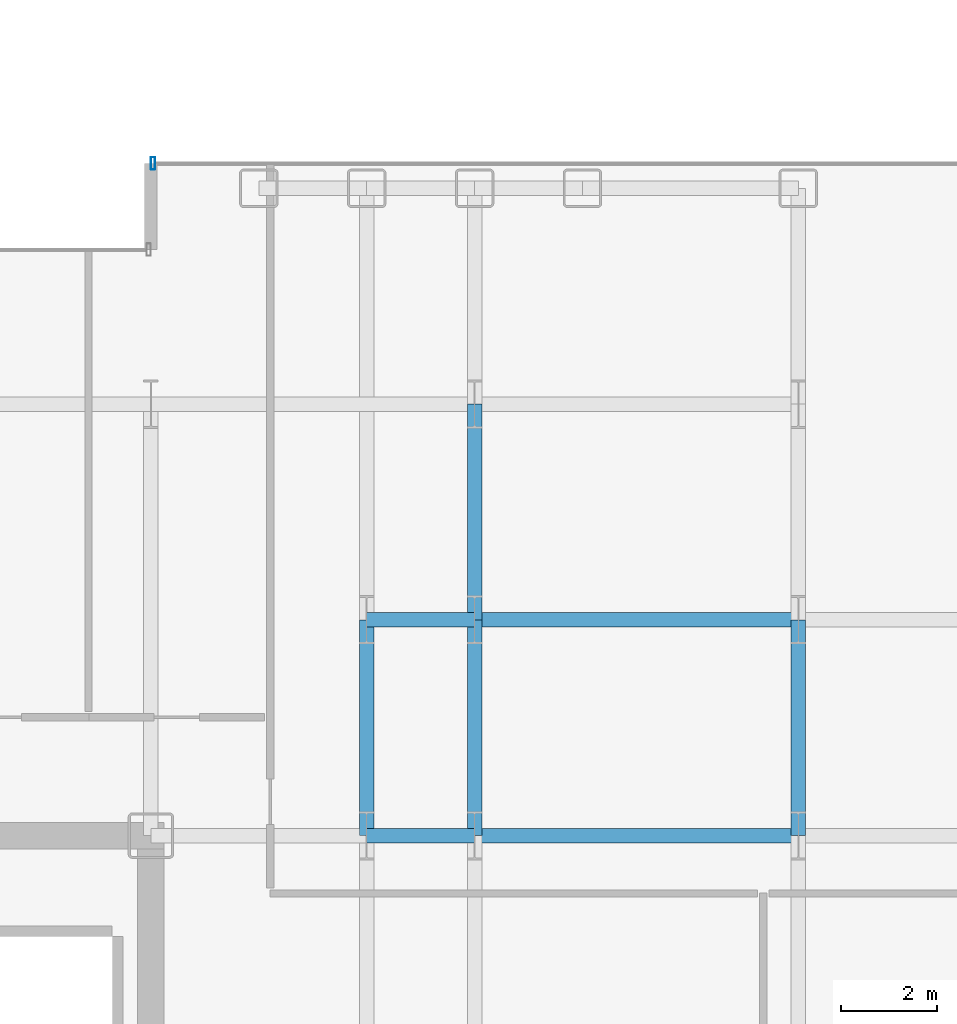
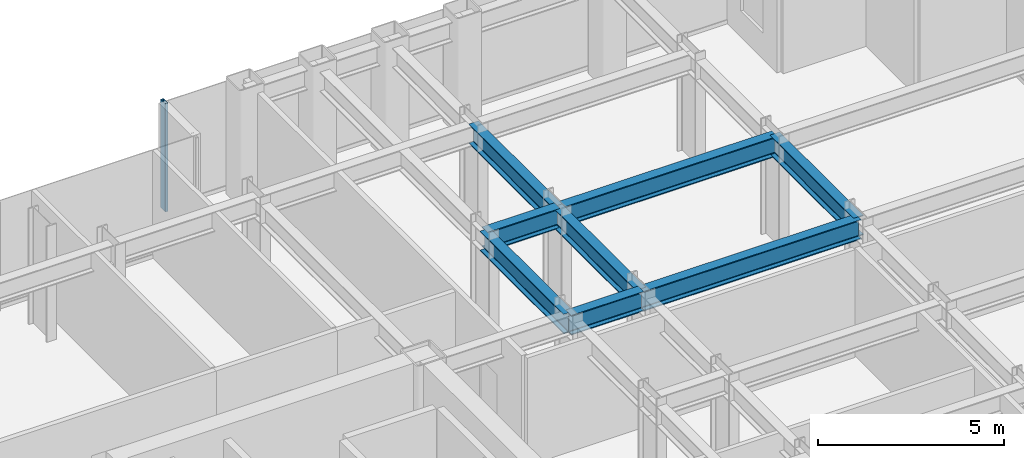
# One storey, part 15 of 29: 8 beams, 1 member, 1 element without a shape of its own.
"""IFC4 building model written with IfcOpenShell, lengths in metres."""

import ifcopenshell
import ifcopenshell.guid

model = None  # the IFC model being written
_history = None  # IfcOwnerHistory: only IFC2X3 demands one
_inside = {}  # id of a spatial element -> (the spatial element, [elements in it])
_under = {}  # id of a project, library or spatial element -> (it, [spatial elements below it])
_declared = {}  # id of a project -> (the project, [libraries it declares])
_typed = {}  # id of a type object -> (the type object, [elements of that type])
_made_of = {}  # id of a material, layer set ... -> (it, [elements and type objects made of it])


def new_model(schema):
    """Start an empty IFC model of exactly this schema.

    Asked for "IFC4X3", IfcOpenShell would pick the latest addendum, in which some entities
    have other attributes; the version numbers below select the first issue.
    IFC2X3 requires an IfcOwnerHistory on every rooted entity: one is made here for all.
    """
    global model, _history
    if schema == "IFC4X3":
        model = ifcopenshell.file(schema_version=(4, 3, 0, 0))
    else:
        model = ifcopenshell.file(schema=schema)
    _inside.clear()
    _under.clear()
    _declared.clear()
    _typed.clear()
    _made_of.clear()
    _history = None
    if model.schema == "IFC2X3":
        org = make("IfcOrganization", Name="unknown")
        user = make(
            "IfcPersonAndOrganization",
            ThePerson=make("IfcPerson", FamilyName="unknown"),
            TheOrganization=org,
        )
        app = make(
            "IfcApplication",
            ApplicationDeveloper=org,
            Version="unknown",
            ApplicationFullName="unknown",
            ApplicationIdentifier="unknown",
        )
        _history = make(
            "IfcOwnerHistory",
            OwningUser=user,
            OwningApplication=app,
            ChangeAction="ADDED",
            CreationDate=0,
        )
    return model


def make(cls, **values):
    """One entity of the class cls with the attributes given. An attribute that is None is left unset."""
    return model.create_entity(
        cls, **{name: value for name, value in values.items() if value is not None}
    )


def rooted(cls, **values):
    """An entity with a GlobalId (a new one), such as an element, a storey or a relation."""
    return make(cls, GlobalId=ifcopenshell.guid.new(), OwnerHistory=_history, **values)


def si_unit(unit_type, name, prefix=None):
    """IfcSIUnit, for example si_unit("LENGTHUNIT", "METRE", prefix="MILLI")."""
    return make("IfcSIUnit", UnitType=unit_type, Prefix=prefix, Name=name)


def assignment(units):
    """IfcUnitAssignment: the units of a project."""
    return None if units is None else make("IfcUnitAssignment", Units=units)


def point(xyz):
    """IfcCartesianPoint."""
    return None if xyz is None else make("IfcCartesianPoint", Coordinates=xyz)


def direction(xyz):
    """IfcDirection."""
    return None if xyz is None else make("IfcDirection", DirectionRatios=xyz)


def frame(location, z_axis=None, x_axis=None):
    """IfcAxis2Placement3D, a coordinate frame: its origin and axes. An axis left out is left unset."""
    return make(
        "IfcAxis2Placement3D",
        Location=point(location),
        Axis=direction(z_axis),
        RefDirection=direction(x_axis),
    )


def frame_2d(location, x_axis=None):
    """IfcAxis2Placement2D, a coordinate frame in the plane: its origin and x axis."""
    return make(
        "IfcAxis2Placement2D", Location=point(location), RefDirection=direction(x_axis)
    )


def origin():
    """The frame at (0, 0, 0) with its axes left unset."""
    return frame((0.0, 0.0, 0.0))


def origin_2d():
    """The frame at (0, 0) in the plane with its x axis left unset."""
    return frame_2d((0.0, 0.0))


def place(relative_to, where):
    """IfcLocalPlacement: puts the frame where relative to a parent placement (None: the world)."""
    return make(
        "IfcLocalPlacement", PlacementRelTo=relative_to, RelativePlacement=where
    )


def context(
    kind, dimensions, precision=None, world=None, true_north=None, identifier=None
):
    """IfcGeometricRepresentationContext, for example the 3D "Model" context."""
    return make(
        "IfcGeometricRepresentationContext",
        ContextIdentifier=identifier,
        ContextType=kind,
        CoordinateSpaceDimension=dimensions,
        Precision=precision,
        WorldCoordinateSystem=world,
        TrueNorth=true_north,
    )


def subcontext(parent, identifier, kind, view, scale=None):
    """IfcGeometricRepresentationSubContext, for example "Body" below "Model"."""
    return make(
        "IfcGeometricRepresentationSubContext",
        ContextIdentifier=identifier,
        ContextType=kind,
        ParentContext=parent,
        TargetScale=scale,
        TargetView=view,
    )


def project(units=None, contexts=None):
    """IfcProject with its units and contexts."""
    return rooted(
        "IfcProject",
        Name="project",
        RepresentationContexts=contexts,
        UnitsInContext=assignment(units),
    )


def spatial(cls, under=None, at=None, **own):
    """A site, building, storey or space (cls), placed at a placement, below another one or the project."""
    s = rooted(cls, ObjectPlacement=at, **own)
    if under is not None:
        _under.setdefault(under.id(), (under, []))[1].append(s)
    return s


def profile(cls, at=None, kind="AREA", **sizes):
    """A parametric profile (cls). Its sizes go by their IFC names, for example OverallWidth=200.0."""
    return make(cls, ProfileType=kind, Position=at, **sizes)


def hollow_rectangle(**sizes):
    """IfcRectangleHollowProfileDef."""
    return profile("IfcRectangleHollowProfileDef", **sizes)


def i_section(**sizes):
    """IfcIShapeProfileDef."""
    return profile("IfcIShapeProfileDef", **sizes)


def extrude(swept, where, along, depth):
    """IfcExtrudedAreaSolid: the profile swept, set in the frame where, extruded along a direction by depth."""
    return make(
        "IfcExtrudedAreaSolid",
        SweptArea=swept,
        Position=where,
        ExtrudedDirection=direction(along),
        Depth=depth,
    )


def shape(context_of_items, identifier, shape_type, items):
    """IfcShapeRepresentation: the items that make up one representation, for example the "Body"."""
    return make(
        "IfcShapeRepresentation",
        ContextOfItems=context_of_items,
        RepresentationIdentifier=identifier,
        RepresentationType=shape_type,
        Items=items,
    )


def source(mapping_origin, context_of_items, identifier, shape_type, items):
    """IfcRepresentationMap: a shape defined once, which mapped items show again and again."""
    return make(
        "IfcRepresentationMap",
        MappingOrigin=mapping_origin,
        MappedRepresentation=shape(context_of_items, identifier, shape_type, items),
    )


def transform(
    local_origin,
    x_axis=None,
    y_axis=None,
    z_axis=None,
    scale=None,
    scale2=None,
    scale3=None,
    uniform=True,
):
    """IfcCartesianTransformationOperator3D, or its non-uniform kind. x_axis, y_axis, z_axis: its Axis1, 2, 3."""
    if uniform:
        return make(
            "IfcCartesianTransformationOperator3D",
            Axis1=direction(x_axis),
            Axis2=direction(y_axis),
            LocalOrigin=point(local_origin),
            Scale=scale,
            Axis3=direction(z_axis),
        )
    return make(
        "IfcCartesianTransformationOperator3DnonUniform",
        Axis1=direction(x_axis),
        Axis2=direction(y_axis),
        LocalOrigin=point(local_origin),
        Scale=scale,
        Axis3=direction(z_axis),
        Scale2=scale2,
        Scale3=scale3,
    )


def mapped(mapping_source, mapping_target):
    """IfcMappedItem: shows the shape of a source again, moved by a transform."""
    return make(
        "IfcMappedItem", MappingSource=mapping_source, MappingTarget=mapping_target
    )


def material(Name=None, Category=None):
    """IfcMaterial."""
    return make("IfcMaterial", Name=Name, Category=Category)


def layer(
    of_material, thickness, ventilated=None, Name=None, Category=None, Priority=None
):
    """IfcMaterialLayer: one layer of a wall or slab, of a material (None: an air gap)."""
    return make(
        "IfcMaterialLayer",
        Material=of_material,
        LayerThickness=thickness,
        IsVentilated=ventilated,
        Name=Name,
        Category=Category,
        Priority=Priority,
    )


def layer_set(layers, Name=None):
    """IfcMaterialLayerSet."""
    return make("IfcMaterialLayerSet", MaterialLayers=layers, LayerSetName=Name)


def material_profile(
    of_material, cross_section, Name=None, Category=None, Priority=None
):
    """IfcMaterialProfile: a cross section and its material."""
    return make(
        "IfcMaterialProfile",
        Name=Name,
        Material=of_material,
        Profile=cross_section,
        Priority=Priority,
        Category=Category,
    )


def profile_set(profiles, Name=None, composite=None):
    """IfcMaterialProfileSet."""
    return make(
        "IfcMaterialProfileSet",
        Name=Name,
        MaterialProfiles=profiles,
        CompositeProfile=composite,
    )


def made_of(thing, what):
    """Note that an element or type object is made of a material, layer set ...; save() writes the relation."""
    if what is not None:
        _made_of.setdefault(what.id(), (what, []))[1].append(thing)
    return thing


def type_object(cls, material=None, **own):
    """A type object (cls), such as IfcWallType, which elements share."""
    return made_of(rooted(cls, **own), material)


def element(
    cls,
    number,
    at=None,
    inside=None,
    cuts=None,
    type_object=None,
    material=None,
    context=None,
    identifier="Body",
    shape_type=None,
    held_by="IfcProductDefinitionShape",
    body=None,
    shapes=None,
    **own,
):
    """One element of the class cls, such as IfcWall. Its Tag is "e" and its number.

    at: its placement. inside: the storey or other place that contains it. cuts: it is an
    opening in that element (IfcRelVoidsElement). A single representation is given by context,
    identifier, shape_type and body (its items); several are given by shapes. held_by: the class
    of the entity that holds the representations. save() writes the other relations.
    """
    e = rooted(cls, Tag="e%d" % number, ObjectPlacement=at, **own)
    if body is not None:
        shapes = [shape(context, identifier, shape_type, body)]
    if shapes is not None:
        e.Representation = make(held_by, Representations=shapes)
    if inside is not None:
        _inside.setdefault(inside.id(), (inside, []))[1].append(e)
    if cuts is not None:
        rooted(
            "IfcRelVoidsElement", RelatingBuildingElement=cuts, RelatedOpeningElement=e
        )
    if type_object is not None:
        _typed.setdefault(type_object.id(), (type_object, []))[1].append(e)
    return made_of(e, material)


def aggregate(whole, parts):
    """IfcRelAggregates: a whole, such as a stair, and the parts it consists of."""
    return rooted("IfcRelAggregates", RelatingObject=whole, RelatedObjects=parts)


def save(model, path):
    """Write the relations noted so far, then the file.

    IfcRelAggregates (storeys below a building ...), IfcRelContainedInSpatialStructure (elements
    in a storey), IfcRelDefinesByType, IfcRelAssociatesMaterial and IfcRelDeclares: one each for
    every whole, place, type object, material and project.
    """
    for whole, parts in _under.values():
        aggregate(whole, parts)
    for where, things in _inside.values():
        rooted(
            "IfcRelContainedInSpatialStructure",
            RelatedElements=things,
            RelatingStructure=where,
        )
    for kind, things in _typed.values():
        rooted("IfcRelDefinesByType", RelatedObjects=things, RelatingType=kind)
    for what, things in _made_of.values():
        rooted("IfcRelAssociatesMaterial", RelatedObjects=things, RelatingMaterial=what)
    for by, libraries in _declared.values():
        rooted("IfcRelDeclares", RelatingContext=by, RelatedDefinitions=libraries)
    model.write(path)


model = new_model("IFC4")

# Units and contexts
model_context = context("Model", 3, precision=1e-05, world=origin(), true_north=direction((0.0, 1.0)))
body_context = subcontext(model_context, "Body", "Model", "MODEL_VIEW")
ifc_project = project(units=[si_unit("LENGTHUNIT", "METRE"), si_unit("AREAUNIT", "SQUARE_METRE"), si_unit("VOLUMEUNIT", "CUBIC_METRE"), si_unit("PLANEANGLEUNIT", "RADIAN"), si_unit("MASSUNIT", "GRAM", prefix="KILO")], contexts=[model_context])

# Site, building, storey
site_placement = place(None, origin())
site = spatial("IfcSite", under=ifc_project, at=site_placement, CompositionType="ELEMENT")
building_placement = place(site_placement, origin())
building = spatial("IfcBuilding", under=site, at=building_placement, Name="Nefas-Gora Pilgrimage Tower", CompositionType="ELEMENT")
storey_placement = place(building_placement, frame((0.0, 0.0, 113.60009765625)))
storey = spatial("IfcBuildingStorey", under=building, at=storey_placement, Name="L27", CompositionType="ELEMENT", Elevation=113.60009765625)

# Beams
ifc_material_1 = material(Name="Steel S355", Category="steel")
ifc_material_profile_1 = material_profile(ifc_material_1, i_section(OverallWidth=0.300048828125, OverallDepth=0.64990234375, WebThickness=0.01611328125, FlangeThickness=0.031005859375, FilletRadius=0.027099609375, at=origin_2d()), Name="HEB 650")
ifc_profile_set_1 = profile_set([ifc_material_profile_1], Name="Steel S355")
beam_type = type_object("IfcBeamType", Name="BM-GIR-HEB650", PredefinedType="BEAM", material=ifc_profile_set_1)
shared_shape_1 = source(origin(), body_context, "Body", "SweptSolid", [
    extrude(i_section(OverallWidth=0.300048828125, OverallDepth=0.64990234375, WebThickness=0.01611328125, FlangeThickness=0.031005859375, FilletRadius=0.027099609375, at=origin_2d()), origin(), (0.0, 0.0, 1.0), 4.5),
])
for number, where, z_axis, x_axis, name in (
    (1, (15.75, 9.0, 3.224853515625), (0.0, 1.0, 0.0), (-1.0, 0.0, 0.0), "L27 G-03 beam"),
    (2, (18.0, 9.0, 3.224853515625), (0.0, 1.0, 0.0), (-1.0, 0.0, 0.0), "L27 G-03 beam"),
    (3, (18.0, 13.5, 3.224853515625), (0.0, 1.0, 0.0), (-1.0, 0.0, 0.0), "L27 G-03 beam"),
    (4, (24.75, 9.0, 3.224853515625), (0.0, 1.0, 0.0), (-1.0, 0.0, 0.0), "L27 G-03 beam"),
):
    element("IfcBeam", number, at=place(storey_placement, frame(where, z_axis=z_axis, x_axis=x_axis)), inside=storey, type_object=beam_type, Name=name, PredefinedType="BEAM", context=body_context, shape_type="MappedRepresentation", body=[
        mapped(shared_shape_1, transform((0.0, 0.0, 0.0), x_axis=(1.0, 0.0, 0.0), y_axis=(0.0, 1.0, 0.0), z_axis=(0.0, 0.0, 1.0), scale=1.0)),
    ])
shared_shape_2 = source(origin(), body_context, "Body", "SweptSolid", [
    extrude(i_section(OverallWidth=0.300048828125, OverallDepth=0.64990234375, WebThickness=0.01611328125, FlangeThickness=0.031005859375, FilletRadius=0.027099609375, at=origin_2d()), origin(), (0.0, 0.0, 1.0), 6.75),
])
for number, where, z_axis, x_axis, name in (
    (5, (18.0, 9.0, 3.224853515625), (1.0, 0.0, 0.0), (0.0, 1.0, 0.0), "L27 G-03 beam"),
    (6, (18.0, 13.5, 3.224853515625), (1.0, 0.0, 0.0), (0.0, 1.0, 0.0), "L27 G-03 beam"),
):
    element("IfcBeam", number, at=place(storey_placement, frame(where, z_axis=z_axis, x_axis=x_axis)), inside=storey, type_object=beam_type, Name=name, PredefinedType="BEAM", context=body_context, shape_type="MappedRepresentation", body=[
        mapped(shared_shape_2, transform((0.0, 0.0, 0.0), x_axis=(1.0, 0.0, 0.0), y_axis=(0.0, 1.0, 0.0), z_axis=(0.0, 0.0, 1.0), scale=1.0)),
    ])
shared_shape_3 = source(origin(), body_context, "Body", "SweptSolid", [
    extrude(i_section(OverallWidth=0.300048828125, OverallDepth=0.64990234375, WebThickness=0.01611328125, FlangeThickness=0.031005859375, FilletRadius=0.027099609375, at=origin_2d()), origin(), (0.0, 0.0, 1.0), 2.25),
])
for number, where, z_axis, x_axis, name in (
    (7, (15.75, 9.0, 3.224853515625), (1.0, 0.0, 0.0), (0.0, 1.0, 0.0), "L27 G-03 beam"),
    (8, (15.75, 13.5, 3.224853515625), (1.0, 0.0, 0.0), (0.0, 1.0, 0.0), "L27 G-03 beam"),
):
    element("IfcBeam", number, at=place(storey_placement, frame(where, z_axis=z_axis, x_axis=x_axis)), inside=storey, type_object=beam_type, Name=name, PredefinedType="BEAM", context=body_context, shape_type="MappedRepresentation", body=[
        mapped(shared_shape_3, transform((0.0, 0.0, 0.0), x_axis=(1.0, 0.0, 0.0), y_axis=(0.0, 1.0, 0.0), z_axis=(0.0, 0.0, 1.0), scale=1.0)),
    ])

# Curtain wall, member
ifc_material_2 = material(Name="Dark ceramic-fritted solar-control aluminium-glass curtain wall", Category="aluminium")
ifc_layer = layer(ifc_material_2, 0.219970703125)
ifc_layer_set = layer_set([ifc_layer], Name="Dark ceramic-fritted solar-control aluminium-glass curtain wall")
curtain_wall_type = type_object("IfcCurtainWallType", Name="CW-SYS-2", PredefinedType="NOTDEFINED", material=ifc_layer_set)
curtain_wall_placement = place(storey_placement, origin())
curtain_wall = element("IfcCurtainWall", 9, at=curtain_wall_placement, inside=storey, type_object=curtain_wall_type, Name="L27 Unitised Curtain Wall CW2", PredefinedType="NOTDEFINED")
ifc_material_3 = material(Name="Anodised architectural aluminium", Category="aluminium")
ifc_material_profile_2 = material_profile(ifc_material_3, hollow_rectangle(XDim=0.090087890625, YDim=0.260009765625, WallThickness=0.006103515625, InnerFilletRadius=0.006103515625, OuterFilletRadius=0.011962890625, at=origin_2d()), Name="ALU MULLION 90x260")
ifc_profile_set_2 = profile_set([ifc_material_profile_2], Name="Anodised architectural aluminium")
member_type = type_object("IfcMemberType", Name="CWM-MUL-2", PredefinedType="MULLION", material=ifc_profile_set_2)
shared_shape_4 = source(origin(), body_context, "Body", "SweptSolid", [
    extrude(hollow_rectangle(XDim=0.090087890625, YDim=0.260009765625, WallThickness=0.006103515625, InnerFilletRadius=0.006103515625, OuterFilletRadius=0.011962890625, at=origin_2d()), origin(), (0.0, 0.0, 1.0), 3.5498046875),
])
member_placement = place(storey_placement, frame((11.294921875, 23.02001953125, 0.0), z_axis=(0.0, 0.0, 1.0), x_axis=(-1.0, 0.0, 0.0)))
member = element("IfcMember", 10, at=member_placement, type_object=member_type, Name="CW2 Mullion 2", PredefinedType="MULLION", context=body_context, shape_type="MappedRepresentation", body=[
    mapped(shared_shape_4, transform((0.0, 0.0, 0.0), x_axis=(1.0, 0.0, 0.0), y_axis=(0.0, 1.0, 0.0), z_axis=(0.0, 0.0, 1.0), scale=1.0)),
])
aggregate(curtain_wall, [member])

save(model, "model.ifc")
